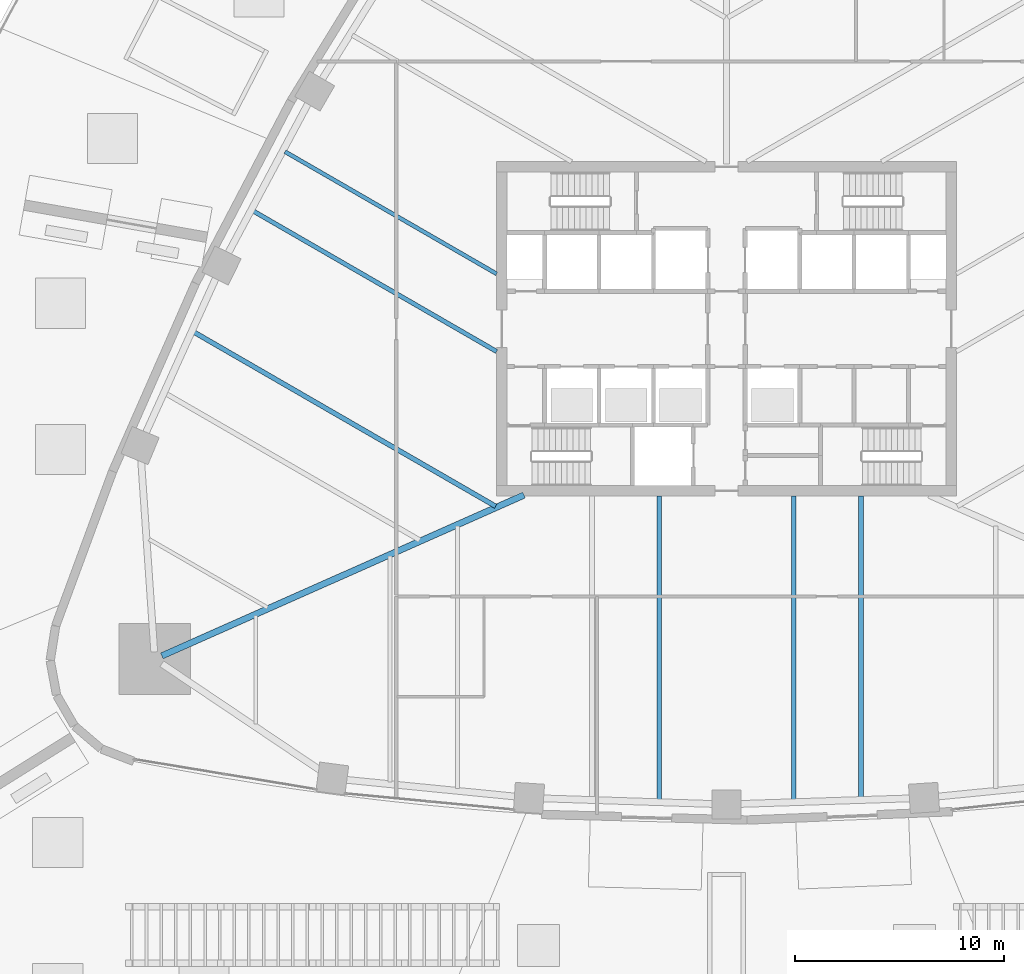
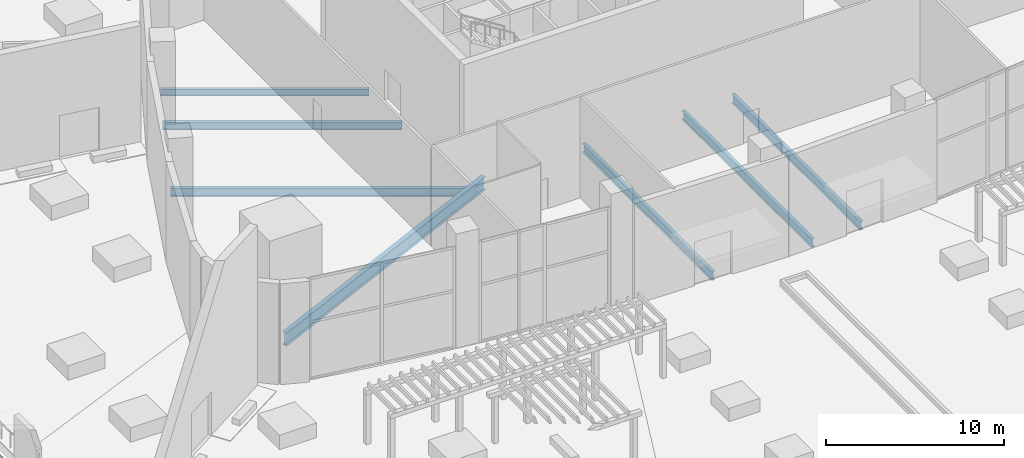
# One storey, part 4 of 20: 7 beams.
"""IFC4 building model written with IfcOpenShell, lengths in metres."""

from ifc_helpers import new_model, si_unit, direction, frame, origin, origin_2d, place, context, subcontext, project, spatial, i_section, extrude, material, material_profile, profile_set, type_object, element, save


model = new_model("IFC4")

# Units and contexts
model_context = context("Model", 3, precision=1e-05, world=origin(), true_north=direction((0.0, 1.0)))
body_context = subcontext(model_context, "Body", "Model", "MODEL_VIEW")
ifc_project = project(units=[si_unit("LENGTHUNIT", "METRE"), si_unit("AREAUNIT", "SQUARE_METRE"), si_unit("VOLUMEUNIT", "CUBIC_METRE"), si_unit("PLANEANGLEUNIT", "RADIAN"), si_unit("MASSUNIT", "GRAM", prefix="KILO")], contexts=[model_context])

# Site, building, storey
site_placement = place(None, origin())
site = spatial("IfcSite", under=ifc_project, at=site_placement, CompositionType="ELEMENT")
building_placement = place(site_placement, origin())
building = spatial("IfcBuilding", under=site, at=building_placement, Name="Sierra Prisma Convention Tower", CompositionType="ELEMENT")
storey_placement = place(building_placement, frame((0.0, 0.0, 9.0)))
storey = spatial("IfcBuildingStorey", under=building, at=storey_placement, Name="L01", CompositionType="ELEMENT", Elevation=9.0)

# Beams
ifc_material_1 = material(Name="Steel ASTM A992 Gr 50", Category="steel")
ifc_material_profile_1 = material_profile(ifc_material_1, i_section(OverallWidth=0.18994140625, OverallDepth=0.45703125, WebThickness=0.009033203125, FlangeThickness=0.014404296875, at=origin_2d()), Name="W460x74")
ifc_profile_set_1 = profile_set([ifc_material_profile_1], Name="Steel ASTM A992 Gr 50")
beam_type_1 = type_object("IfcBeamType", Name="Floor joist W460x74", PredefinedType="JOIST", material=ifc_profile_set_1)
beam_1_placement = place(storey_placement, frame((-21.1220703125, 8.478759765625, -0.478515625), z_axis=(0.866024880635, -0.500000906121, 0.0), x_axis=(0.500000906121, 0.866024880635, 0.0)))
element("IfcBeam", 1, at=beam_1_placement, inside=storey, type_object=beam_type_1, Name="Floor joist L01 NW10", PredefinedType="JOIST", context=body_context, shape_type="SweptSolid", body=[
    extrude(i_section(OverallWidth=0.18994140625, OverallDepth=0.45703125, WebThickness=0.009033203125, FlangeThickness=0.014404296875, at=origin_2d()), origin(), (0.0, 0.0, 1.0), 11.68798828125),
])
ifc_material_2 = material(Name="Steel ASTM A992 Gr 50", Category="steel")
ifc_material_profile_2 = material_profile(ifc_material_2, i_section(OverallWidth=0.208984375, OverallDepth=0.532958984375, WebThickness=0.01025390625, FlangeThickness=0.015625, at=origin_2d()), Name="W530x92")
ifc_profile_set_2 = profile_set([ifc_material_profile_2], Name="Steel ASTM A992 Gr 50")
beam_type_2 = type_object("IfcBeamType", Name="Floor joist W530x92", PredefinedType="JOIST", material=ifc_profile_set_2)
beam_2_placement = place(storey_placement, frame((-22.639404296875, 5.638671875, -0.5166015625), z_axis=(0.866026773083, -0.499997628298, 0.0), x_axis=(0.499997628298, 0.866026773083, 0.0)))
element("IfcBeam", 2, at=beam_2_placement, inside=storey, type_object=beam_type_2, Name="Floor joist L01 NW11", PredefinedType="JOIST", context=body_context, shape_type="SweptSolid", body=[
    extrude(i_section(OverallWidth=0.208984375, OverallDepth=0.532958984375, WebThickness=0.01025390625, FlangeThickness=0.015625, at=origin_2d()), origin(), (0.0, 0.0, 1.0), 13.43994140625),
])
ifc_material_3 = material(Name="Steel ASTM A992 Gr 50", Category="steel")
ifc_material_profile_3 = material_profile(ifc_material_3, i_section(OverallWidth=0.22802734375, OverallDepth=0.60302734375, WebThickness=0.010498046875, FlangeThickness=0.014892578125, at=origin_2d()), Name="W610x101")
ifc_profile_set_3 = profile_set([ifc_material_profile_3], Name="Steel ASTM A992 Gr 50")
beam_type_3 = type_object("IfcBeamType", Name="Floor joist W610x101", PredefinedType="JOIST", material=ifc_profile_set_3)
for number, where, z_axis, x_axis, name in (
    (3, (-3.21826171875, -22.531494140625, -0.551513671875), (0.0, 1.0, 0.0), (-1.0, 0.0, 0.0), "Floor joist L01 S08"),
    (4, (3.21826171875, -22.531494140625, -0.551513671875), (0.0, 1.0, 0.0), (-1.0, 0.0, 0.0), "Floor joist L01 S10"),
):
    element("IfcBeam", number, at=place(storey_placement, frame(where, z_axis=z_axis, x_axis=x_axis)), inside=storey, type_object=beam_type_3, Name=name, PredefinedType="JOIST", context=body_context, shape_type="SweptSolid", body=[
        extrude(i_section(OverallWidth=0.22802734375, OverallDepth=0.60302734375, WebThickness=0.010498046875, FlangeThickness=0.014892578125, at=origin_2d()), origin(), (0.0, 0.0, 1.0), 14.531494140625),
    ])
beam_3_placement = place(storey_placement, frame((6.4365234375, -22.42578125, -0.551513671875), z_axis=(0.0, 1.0, 0.0), x_axis=(-1.0, 0.0, 0.0)))
element("IfcBeam", 5, at=beam_3_placement, inside=storey, type_object=beam_type_3, Name="Floor joist L01 S11", PredefinedType="JOIST", context=body_context, shape_type="SweptSolid", body=[
    extrude(i_section(OverallWidth=0.22802734375, OverallDepth=0.60302734375, WebThickness=0.010498046875, FlangeThickness=0.014892578125, at=origin_2d()), origin(), (0.0, 0.0, 1.0), 14.42578125),
])
beam_4_placement = place(storey_placement, frame((-25.47802734375, -0.15478515625, -0.551513671875), z_axis=(0.866027491634, -0.499996383721, 0.0), x_axis=(0.499996383721, 0.866027491634, 0.0)))
element("IfcBeam", 6, at=beam_4_placement, inside=storey, type_object=beam_type_3, Name="Floor joist L01 NW13", PredefinedType="JOIST", context=body_context, shape_type="SweptSolid", body=[
    extrude(i_section(OverallWidth=0.22802734375, OverallDepth=0.60302734375, WebThickness=0.010498046875, FlangeThickness=0.014892578125, at=origin_2d()), origin(), (0.0, 0.0, 1.0), 16.6640625),
])
ifc_material_4 = material(Name="Steel ASTM A992 Gr 50", Category="steel")
ifc_material_profile_4 = material_profile(ifc_material_4, i_section(OverallWidth=0.303955078125, OverallDepth=0.903076171875, WebThickness=0.01513671875, FlangeThickness=0.02001953125, at=origin_2d()), Name="W920x201")
ifc_profile_set_4 = profile_set([ifc_material_profile_4], Name="Steel ASTM A992 Gr 50")
beam_type_4 = type_object("IfcBeamType", Name="Radial girder W920x201", PredefinedType="BEAM", material=ifc_profile_set_4)
beam_5_placement = place(storey_placement, frame((-27.01513671875, -15.642578125, -0.701416015625), z_axis=(0.91398196052, 0.405754822331, 0.0), x_axis=(-0.405754822331, 0.91398196052, 0.0)))
element("IfcBeam", 7, at=beam_5_placement, inside=storey, type_object=beam_type_4, Name="Radial girder L01 SW", PredefinedType="BEAM", context=body_context, shape_type="SweptSolid", body=[
    extrude(i_section(OverallWidth=0.303955078125, OverallDepth=0.903076171875, WebThickness=0.01513671875, FlangeThickness=0.02001953125, at=origin_2d()), origin(), (0.0, 0.0, 1.0), 18.955078125),
])

save(model, "model.ifc")
